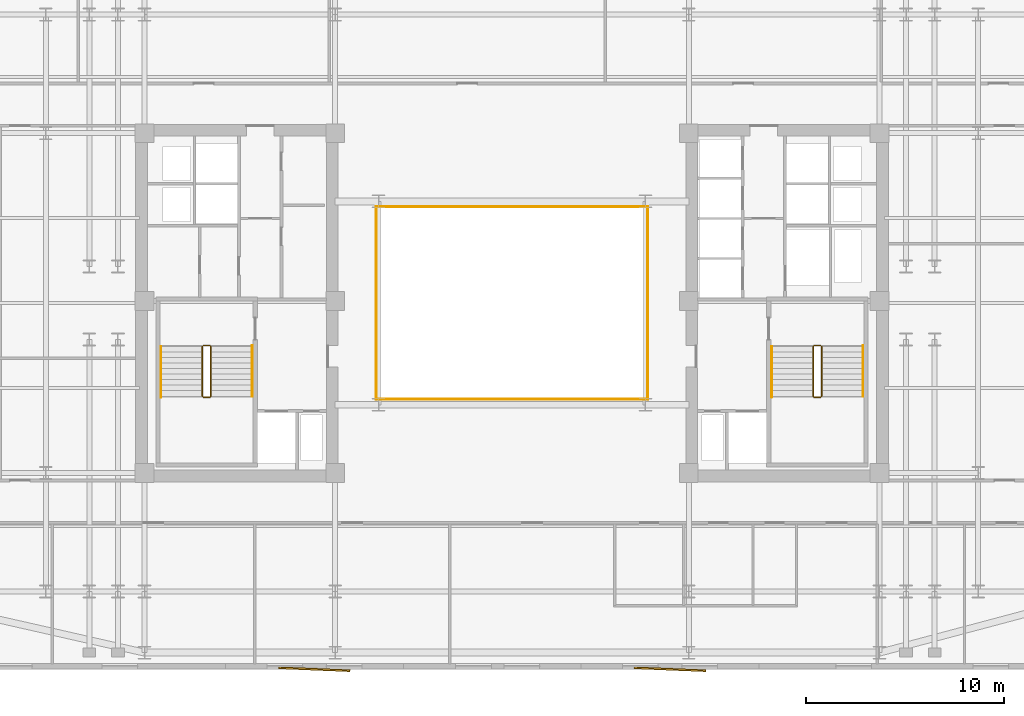
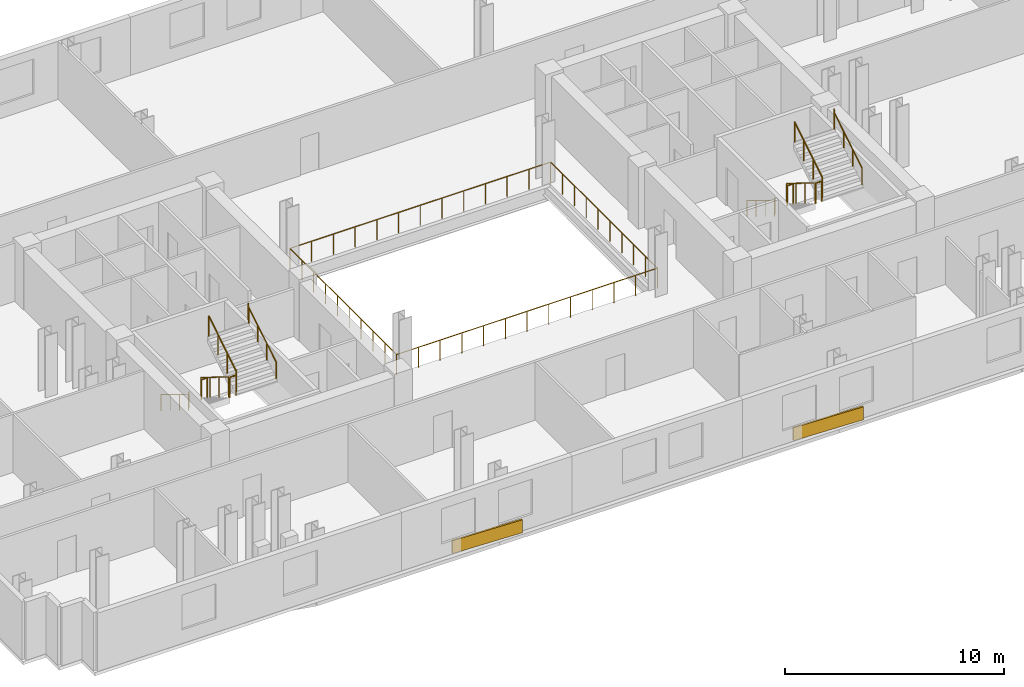
# One storey, part 8 of 9: 16 railings, 2 coverings.
"""IFC4 building model written with IfcOpenShell, lengths in metres."""

from ifc_helpers import new_model, si_unit, direction, frame, origin, origin_2d, place, context, subcontext, project, spatial, rectangle, circle, extrude, material, layer, layer_set, type_object, element, save


model = new_model("IFC4")

# Units and contexts
model_context = context("Model", 3, precision=1e-05, world=origin(), true_north=direction((0.0, 1.0)))
body_context = subcontext(model_context, "Body", "Model", "MODEL_VIEW")
ifc_project = project(units=[si_unit("LENGTHUNIT", "METRE"), si_unit("AREAUNIT", "SQUARE_METRE"), si_unit("VOLUMEUNIT", "CUBIC_METRE"), si_unit("PLANEANGLEUNIT", "RADIAN"), si_unit("MASSUNIT", "GRAM", prefix="KILO")], contexts=[model_context])

# Site, building, storey
site_placement = place(None, origin())
site = spatial("IfcSite", under=ifc_project, at=site_placement, CompositionType="ELEMENT")
building_placement = place(site_placement, origin())
building = spatial("IfcBuilding", under=site, at=building_placement, Name="Velakula Bourse", CompositionType="ELEMENT")
storey_placement = place(building_placement, frame((0.0, 0.0, 131.199951171875)))
storey = spatial("IfcBuildingStorey", under=building, at=storey_placement, Name="L35", CompositionType="ELEMENT", Elevation=131.199951171875)

# Coverings
ifc_material_1 = material(Name="Red kilned clay facing brick masonry", Category="masonry")
ifc_layer = layer(ifc_material_1, 0.090087890625, Name="Red kilned clay facing brick masonry", Category="masonry")
ifc_layer_set = layer_set([ifc_layer], Name="Red kilned clay facing brick masonry")
covering_type = type_object("IfcCoveringType", Name="COV-BRK-FOLD-90", PredefinedType="CLADDING", material=ifc_layer_set)
for number, where, z_axis, x_axis, name in (
    (1, (-10.0, -18.5400390625, 0.0), (0.0, 0.0, 1.0), (0.999158993058, -0.041003738744, 0.0), "L35 Folded Brick Facade Cladding Panel S-B2"),
    (2, (8.0, -18.5400390625, 0.0), (0.0, 0.0, 1.0), (0.999158993058, -0.041003738744, 0.0), "L35 Folded Brick Facade Cladding Panel S-B4"),
):
    element("IfcCovering", number, at=place(storey_placement, frame(where, z_axis=z_axis, x_axis=x_axis)), inside=storey, type_object=covering_type, Name=name, PredefinedType="CLADDING", context=body_context, shape_type="SweptSolid", body=[
        extrude(rectangle(XDim=3.60009765625, YDim=0.090087890625, at=origin_2d()), origin(), (0.0, 0.0, 1.0), 0.719970703125),
    ])

# Railings
ifc_material_2 = material(Name="Brushed grade 316 stainless steel", Category="steel")
railing_type_1 = type_object("IfcRailingType", Name="RLG-ATRIUM-1150", PredefinedType="BALUSTRADE", material=ifc_material_2)
railing_1_placement = place(storey_placement, frame((-6.8798828125, -4.8798828125, 0.0)))
element("IfcRailing", 3, at=railing_1_placement, inside=storey, type_object=railing_type_1, Name="L35 Central Trading Atrium Balustrade S", PredefinedType="BALUSTRADE", context=body_context, shape_type="SweptSolid", body=[
    extrude(circle(Radius=0.02392578125, at=origin_2d()), frame((0.0, 0.0, 1.1259765625), z_axis=(1.0, 0.0, 0.0), x_axis=(0.0, 1.0, 0.0)), (0.0, 0.0, 1.0), 13.759765625),
    extrude(circle(Radius=0.02099609375, at=origin_2d()), origin(), (0.0, 0.0, 1.0), 1.101806640625),
    extrude(circle(Radius=0.02099609375, at=origin_2d()), frame((1.146728515625, 0.0, 0.0)), (0.0, 0.0, 1.0), 1.101806640625),
    extrude(circle(Radius=0.02099609375, at=origin_2d()), frame((2.293212890625, 0.0, 0.0)), (0.0, 0.0, 1.0), 1.101806640625),
    extrude(circle(Radius=0.02099609375, at=origin_2d()), frame((3.43994140625, 0.0, 0.0)), (0.0, 0.0, 1.0), 1.101806640625),
    extrude(circle(Radius=0.02099609375, at=origin_2d()), frame((4.586669921875, 0.0, 0.0)), (0.0, 0.0, 1.0), 1.101806640625),
    extrude(circle(Radius=0.02099609375, at=origin_2d()), frame((5.733154296875, 0.0, 0.0)), (0.0, 0.0, 1.0), 1.101806640625),
    extrude(circle(Radius=0.02099609375, at=origin_2d()), frame((6.8798828125, 0.0, 0.0)), (0.0, 0.0, 1.0), 1.101806640625),
    extrude(circle(Radius=0.02099609375, at=origin_2d()), frame((8.026611328125, 0.0, 0.0)), (0.0, 0.0, 1.0), 1.101806640625),
    extrude(circle(Radius=0.02099609375, at=origin_2d()), frame((9.173095703125, 0.0, 0.0)), (0.0, 0.0, 1.0), 1.101806640625),
    extrude(circle(Radius=0.02099609375, at=origin_2d()), frame((10.31982421875, 0.0, 0.0)), (0.0, 0.0, 1.0), 1.101806640625),
    extrude(circle(Radius=0.02099609375, at=origin_2d()), frame((11.466552734375, 0.0, 0.0)), (0.0, 0.0, 1.0), 1.101806640625),
    extrude(circle(Radius=0.02099609375, at=origin_2d()), frame((12.613037109375, 0.0, 0.0)), (0.0, 0.0, 1.0), 1.101806640625),
    extrude(circle(Radius=0.02099609375, at=origin_2d()), frame((13.759765625, 0.0, 0.0)), (0.0, 0.0, 1.0), 1.101806640625),
])
railing_2_placement = place(storey_placement, frame((6.8798828125, -4.8798828125, 0.0)))
element("IfcRailing", 4, at=railing_2_placement, inside=storey, type_object=railing_type_1, Name="L35 Central Trading Atrium Balustrade E", PredefinedType="BALUSTRADE", context=body_context, shape_type="SweptSolid", body=[
    extrude(circle(Radius=0.02392578125, at=origin_2d()), frame((0.0, 0.0, 1.1259765625), z_axis=(0.0, 1.0, 0.0), x_axis=(-1.0, 0.0, 0.0)), (0.0, 0.0, 1.0), 9.759765625),
    extrude(circle(Radius=0.02099609375, at=origin_2d()), origin(), (0.0, 0.0, 1.0), 1.101806640625),
    extrude(circle(Radius=0.02099609375, at=origin_2d()), frame((0.0, 1.08447265625, 0.0)), (0.0, 0.0, 1.0), 1.101806640625),
    extrude(circle(Radius=0.02099609375, at=origin_2d()), frame((0.0, 2.1689453125, 0.0)), (0.0, 0.0, 1.0), 1.101806640625),
    extrude(circle(Radius=0.02099609375, at=origin_2d()), frame((0.0, 3.253173828125, 0.0)), (0.0, 0.0, 1.0), 1.101806640625),
    extrude(circle(Radius=0.02099609375, at=origin_2d()), frame((0.0, 4.337646484375, 0.0)), (0.0, 0.0, 1.0), 1.101806640625),
    extrude(circle(Radius=0.02099609375, at=origin_2d()), frame((0.0, 5.422119140625, 0.0)), (0.0, 0.0, 1.0), 1.101806640625),
    extrude(circle(Radius=0.02099609375, at=origin_2d()), frame((0.0, 6.506591796875, 0.0)), (0.0, 0.0, 1.0), 1.101806640625),
    extrude(circle(Radius=0.02099609375, at=origin_2d()), frame((0.0, 7.5908203125, 0.0)), (0.0, 0.0, 1.0), 1.101806640625),
    extrude(circle(Radius=0.02099609375, at=origin_2d()), frame((0.0, 8.67529296875, 0.0)), (0.0, 0.0, 1.0), 1.101806640625),
    extrude(circle(Radius=0.02099609375, at=origin_2d()), frame((0.0, 9.759765625, 0.0)), (0.0, 0.0, 1.0), 1.101806640625),
])
railing_3_placement = place(storey_placement, frame((6.8798828125, 4.8798828125, 0.0)))
element("IfcRailing", 5, at=railing_3_placement, inside=storey, type_object=railing_type_1, Name="L35 Central Trading Atrium Balustrade N", PredefinedType="BALUSTRADE", context=body_context, shape_type="SweptSolid", body=[
    extrude(circle(Radius=0.02392578125, at=origin_2d()), frame((0.0, 0.0, 1.1259765625), z_axis=(-1.0, 0.0, 0.0), x_axis=(0.0, -1.0, 0.0)), (0.0, 0.0, 1.0), 13.759765625),
    extrude(circle(Radius=0.02099609375, at=origin_2d()), origin(), (0.0, 0.0, 1.0), 1.101806640625),
    extrude(circle(Radius=0.02099609375, at=origin_2d()), frame((-1.146728515625, 0.0, 0.0)), (0.0, 0.0, 1.0), 1.101806640625),
    extrude(circle(Radius=0.02099609375, at=origin_2d()), frame((-2.293212890625, 0.0, 0.0)), (0.0, 0.0, 1.0), 1.101806640625),
    extrude(circle(Radius=0.02099609375, at=origin_2d()), frame((-3.43994140625, 0.0, 0.0)), (0.0, 0.0, 1.0), 1.101806640625),
    extrude(circle(Radius=0.02099609375, at=origin_2d()), frame((-4.586669921875, 0.0, 0.0)), (0.0, 0.0, 1.0), 1.101806640625),
    extrude(circle(Radius=0.02099609375, at=origin_2d()), frame((-5.733154296875, 0.0, 0.0)), (0.0, 0.0, 1.0), 1.101806640625),
    extrude(circle(Radius=0.02099609375, at=origin_2d()), frame((-6.8798828125, 0.0, 0.0)), (0.0, 0.0, 1.0), 1.101806640625),
    extrude(circle(Radius=0.02099609375, at=origin_2d()), frame((-8.026611328125, 0.0, 0.0)), (0.0, 0.0, 1.0), 1.101806640625),
    extrude(circle(Radius=0.02099609375, at=origin_2d()), frame((-9.173095703125, 0.0, 0.0)), (0.0, 0.0, 1.0), 1.101806640625),
    extrude(circle(Radius=0.02099609375, at=origin_2d()), frame((-10.31982421875, 0.0, 0.0)), (0.0, 0.0, 1.0), 1.101806640625),
    extrude(circle(Radius=0.02099609375, at=origin_2d()), frame((-11.466552734375, 0.0, 0.0)), (0.0, 0.0, 1.0), 1.101806640625),
    extrude(circle(Radius=0.02099609375, at=origin_2d()), frame((-12.613037109375, 0.0, 0.0)), (0.0, 0.0, 1.0), 1.101806640625),
    extrude(circle(Radius=0.02099609375, at=origin_2d()), frame((-13.759765625, 0.0, 0.0)), (0.0, 0.0, 1.0), 1.101806640625),
])
railing_4_placement = place(storey_placement, frame((-6.8798828125, 4.8798828125, 0.0)))
element("IfcRailing", 6, at=railing_4_placement, inside=storey, type_object=railing_type_1, Name="L35 Central Trading Atrium Balustrade W", PredefinedType="BALUSTRADE", context=body_context, shape_type="SweptSolid", body=[
    extrude(circle(Radius=0.02392578125, at=origin_2d()), frame((0.0, 0.0, 1.1259765625), z_axis=(0.0, -1.0, 0.0), x_axis=(1.0, 0.0, 0.0)), (0.0, 0.0, 1.0), 9.759765625),
    extrude(circle(Radius=0.02099609375, at=origin_2d()), origin(), (0.0, 0.0, 1.0), 1.101806640625),
    extrude(circle(Radius=0.02099609375, at=origin_2d()), frame((0.0, -1.08447265625, 0.0)), (0.0, 0.0, 1.0), 1.101806640625),
    extrude(circle(Radius=0.02099609375, at=origin_2d()), frame((0.0, -2.1689453125, 0.0)), (0.0, 0.0, 1.0), 1.101806640625),
    extrude(circle(Radius=0.02099609375, at=origin_2d()), frame((0.0, -3.253173828125, 0.0)), (0.0, 0.0, 1.0), 1.101806640625),
    extrude(circle(Radius=0.02099609375, at=origin_2d()), frame((0.0, -4.337646484375, 0.0)), (0.0, 0.0, 1.0), 1.101806640625),
    extrude(circle(Radius=0.02099609375, at=origin_2d()), frame((0.0, -5.422119140625, 0.0)), (0.0, 0.0, 1.0), 1.101806640625),
    extrude(circle(Radius=0.02099609375, at=origin_2d()), frame((0.0, -6.506591796875, 0.0)), (0.0, 0.0, 1.0), 1.101806640625),
    extrude(circle(Radius=0.02099609375, at=origin_2d()), frame((0.0, -7.5908203125, 0.0)), (0.0, 0.0, 1.0), 1.101806640625),
    extrude(circle(Radius=0.02099609375, at=origin_2d()), frame((0.0, -8.67529296875, 0.0)), (0.0, 0.0, 1.0), 1.101806640625),
    extrude(circle(Radius=0.02099609375, at=origin_2d()), frame((0.0, -9.759765625, 0.0)), (0.0, 0.0, 1.0), 1.101806640625),
])
railing_type_2 = type_object("IfcRailingType", Name="RLG-STAIR-GUARD-1150", PredefinedType="BALUSTRADE", material=ifc_material_2)
railing_5_placement = place(storey_placement, frame((-15.672119140625, -2.199951171875, 0.172607421875)))
element("IfcRailing", 7, at=railing_5_placement, inside=storey, type_object=railing_type_2, Name="L35 ST-W1 stair guard 1", PredefinedType="BALUSTRADE", context=body_context, shape_type="SweptSolid", body=[
    extrude(circle(Radius=0.02490234375, at=origin_2d()), frame((0.0, 0.0, 1.125), z_axis=(0.0, -0.851400495292, 0.524516154772), x_axis=(1.0, 0.0, 0.0)), (0.0, 0.0, 1.0), 2.9599609375),
    extrude(circle(Radius=0.02099609375, at=origin_2d()), origin(), (0.0, 0.0, 1.0), 1.099853515625),
    extrude(circle(Radius=0.02099609375, at=origin_2d()), frame((0.0, -0.840087890625, 0.517578125)), (0.0, 0.0, 1.0), 1.099853515625),
    extrude(circle(Radius=0.02099609375, at=origin_2d()), frame((0.0, -1.679931640625, 1.034912109375)), (0.0, 0.0, 1.0), 1.099853515625),
    extrude(circle(Radius=0.02099609375, at=origin_2d()), frame((0.0, -2.52001953125, 1.552490234375)), (0.0, 0.0, 1.0), 1.099853515625),
])
railing_6_placement = place(storey_placement, frame((-15.6220703125, -4.77001953125, 1.72509765625)))
element("IfcRailing", 8, at=railing_6_placement, inside=storey, type_object=railing_type_2, Name="L35 ST-W1 stair guard 2", PredefinedType="BALUSTRADE", context=body_context, shape_type="SweptSolid", body=[
    extrude(circle(Radius=0.02490234375, at=origin_2d()), frame((0.0, 0.0, 1.125), z_axis=(1.0, 0.0, 0.0), x_axis=(0.0, 1.0, 0.0)), (0.0, 0.0, 1.0), 0.323974609375),
    extrude(circle(Radius=0.02099609375, at=origin_2d()), origin(), (0.0, 0.0, 1.0), 1.099853515625),
    extrude(circle(Radius=0.02099609375, at=origin_2d()), frame((0.323974609375, 0.0, 0.0)), (0.0, 0.0, 1.0), 1.099853515625),
])
railing_7_placement = place(storey_placement, frame((-15.248046875, -4.719970703125, 1.8974609375)))
element("IfcRailing", 9, at=railing_7_placement, inside=storey, type_object=railing_type_2, Name="L35 ST-W1 stair guard 3", PredefinedType="BALUSTRADE", context=body_context, shape_type="SweptSolid", body=[
    extrude(circle(Radius=0.02490234375, at=origin_2d()), frame((0.0, 0.0, 1.125), z_axis=(0.0, 0.851400495292, 0.524516154772), x_axis=(-1.0, 0.0, 0.0)), (0.0, 0.0, 1.0), 2.9599609375),
    extrude(circle(Radius=0.02099609375, at=origin_2d()), origin(), (0.0, 0.0, 1.0), 1.099853515625),
    extrude(circle(Radius=0.02099609375, at=origin_2d()), frame((0.0, 0.840087890625, 0.517578125)), (0.0, 0.0, 1.0), 1.099853515625),
    extrude(circle(Radius=0.02099609375, at=origin_2d()), frame((0.0, 1.679931640625, 1.034912109375)), (0.0, 0.0, 1.0), 1.099853515625),
    extrude(circle(Radius=0.02099609375, at=origin_2d()), frame((0.0, 2.52001953125, 1.552490234375)), (0.0, 0.0, 1.0), 1.099853515625),
])
railing_8_placement = place(storey_placement, frame((-15.6220703125, -2.14990234375, 0.0)))
element("IfcRailing", 10, at=railing_8_placement, inside=storey, type_object=railing_type_2, Name="L35 ST-W1 stair guard 4", PredefinedType="BALUSTRADE", context=body_context, shape_type="SweptSolid", body=[
    extrude(circle(Radius=0.02490234375, at=origin_2d()), frame((0.0, 0.0, 1.125), z_axis=(1.0, 0.0, 0.0), x_axis=(0.0, 1.0, 0.0)), (0.0, 0.0, 1.0), 0.323974609375),
    extrude(circle(Radius=0.02099609375, at=origin_2d()), origin(), (0.0, 0.0, 1.0), 1.099853515625),
    extrude(circle(Radius=0.02099609375, at=origin_2d()), frame((0.323974609375, 0.0, 0.0)), (0.0, 0.0, 1.0), 1.099853515625),
])
railing_9_placement = place(storey_placement, frame((15.248046875, -2.199951171875, 0.172607421875)))
element("IfcRailing", 11, at=railing_9_placement, inside=storey, type_object=railing_type_2, Name="L35 ST-E1 stair guard 1", PredefinedType="BALUSTRADE", context=body_context, shape_type="SweptSolid", body=[
    extrude(circle(Radius=0.02490234375, at=origin_2d()), frame((0.0, 0.0, 1.125), z_axis=(0.0, -0.851400495292, 0.524516154772), x_axis=(1.0, 0.0, 0.0)), (0.0, 0.0, 1.0), 2.9599609375),
    extrude(circle(Radius=0.02099609375, at=origin_2d()), origin(), (0.0, 0.0, 1.0), 1.099853515625),
    extrude(circle(Radius=0.02099609375, at=origin_2d()), frame((0.0, -0.840087890625, 0.517578125)), (0.0, 0.0, 1.0), 1.099853515625),
    extrude(circle(Radius=0.02099609375, at=origin_2d()), frame((0.0, -1.679931640625, 1.034912109375)), (0.0, 0.0, 1.0), 1.099853515625),
    extrude(circle(Radius=0.02099609375, at=origin_2d()), frame((0.0, -2.52001953125, 1.552490234375)), (0.0, 0.0, 1.0), 1.099853515625),
])
railing_10_placement = place(storey_placement, frame((15.298095703125, -4.77001953125, 1.72509765625)))
element("IfcRailing", 12, at=railing_10_placement, inside=storey, type_object=railing_type_2, Name="L35 ST-E1 stair guard 2", PredefinedType="BALUSTRADE", context=body_context, shape_type="SweptSolid", body=[
    extrude(circle(Radius=0.02490234375, at=origin_2d()), frame((0.0, 0.0, 1.125), z_axis=(1.0, 0.0, 0.0), x_axis=(0.0, 1.0, 0.0)), (0.0, 0.0, 1.0), 0.323974609375),
    extrude(circle(Radius=0.02099609375, at=origin_2d()), origin(), (0.0, 0.0, 1.0), 1.099853515625),
    extrude(circle(Radius=0.02099609375, at=origin_2d()), frame((0.323974609375, 0.0, 0.0)), (0.0, 0.0, 1.0), 1.099853515625),
])
railing_11_placement = place(storey_placement, frame((15.672119140625, -4.719970703125, 1.8974609375)))
element("IfcRailing", 13, at=railing_11_placement, inside=storey, type_object=railing_type_2, Name="L35 ST-E1 stair guard 3", PredefinedType="BALUSTRADE", context=body_context, shape_type="SweptSolid", body=[
    extrude(circle(Radius=0.02490234375, at=origin_2d()), frame((0.0, 0.0, 1.125), z_axis=(0.0, 0.851400495292, 0.524516154772), x_axis=(-1.0, 0.0, 0.0)), (0.0, 0.0, 1.0), 2.9599609375),
    extrude(circle(Radius=0.02099609375, at=origin_2d()), origin(), (0.0, 0.0, 1.0), 1.099853515625),
    extrude(circle(Radius=0.02099609375, at=origin_2d()), frame((0.0, 0.840087890625, 0.517578125)), (0.0, 0.0, 1.0), 1.099853515625),
    extrude(circle(Radius=0.02099609375, at=origin_2d()), frame((0.0, 1.679931640625, 1.034912109375)), (0.0, 0.0, 1.0), 1.099853515625),
    extrude(circle(Radius=0.02099609375, at=origin_2d()), frame((0.0, 2.52001953125, 1.552490234375)), (0.0, 0.0, 1.0), 1.099853515625),
])
railing_12_placement = place(storey_placement, frame((15.298095703125, -2.14990234375, 0.0)))
element("IfcRailing", 14, at=railing_12_placement, inside=storey, type_object=railing_type_2, Name="L35 ST-E1 stair guard 4", PredefinedType="BALUSTRADE", context=body_context, shape_type="SweptSolid", body=[
    extrude(circle(Radius=0.02490234375, at=origin_2d()), frame((0.0, 0.0, 1.125), z_axis=(1.0, 0.0, 0.0), x_axis=(0.0, 1.0, 0.0)), (0.0, 0.0, 1.0), 0.323974609375),
    extrude(circle(Radius=0.02099609375, at=origin_2d()), origin(), (0.0, 0.0, 1.0), 1.099853515625),
    extrude(circle(Radius=0.02099609375, at=origin_2d()), frame((0.323974609375, 0.0, 0.0)), (0.0, 0.0, 1.0), 1.099853515625),
])
railing_type_3 = type_object("IfcRailingType", Name="RLG-STAIR-HAND-920", PredefinedType="HANDRAIL", material=ifc_material_2)
railing_13_placement = place(storey_placement, frame((-17.77001953125, -2.199951171875, 0.172607421875)))
element("IfcRailing", 15, at=railing_13_placement, inside=storey, type_object=railing_type_3, Name="L35 ST-W1 stair handrail 1", PredefinedType="HANDRAIL", context=body_context, shape_type="SweptSolid", body=[
    extrude(circle(Radius=0.02099609375, at=origin_2d()), frame((0.0, 0.0, 0.89892578125), z_axis=(0.0, -0.851400495292, 0.524516154772), x_axis=(1.0, 0.0, 0.0)), (0.0, 0.0, 1.0), 2.9599609375),
    extrude(circle(Radius=0.02099609375, at=origin_2d()), frame((0.0, -2.52001953125, 2.451416015625), z_axis=(0.0, -0.226269970362, 0.974064628509), x_axis=(1.0, 0.0, 0.0)), (0.0, 0.0, 1.0), 0.177001953125),
    extrude(circle(Radius=0.02099609375, at=origin_2d()), frame((0.0, -2.56005859375, 2.623779296875), z_axis=(0.0, -1.0, 0.0), x_axis=(1.0, 0.0, 0.0)), (0.0, 0.0, 1.0), 0.0048828125),
    extrude(circle(Radius=0.02099609375, at=origin_2d()), origin(), (0.0, 0.0, 1.0), 0.8779296875),
    extrude(circle(Radius=0.02099609375, at=origin_2d()), frame((0.0, -0.840087890625, 0.517578125)), (0.0, 0.0, 1.0), 0.8779296875),
    extrude(circle(Radius=0.02099609375, at=origin_2d()), frame((0.0, -1.679931640625, 1.034912109375)), (0.0, 0.0, 1.0), 0.8779296875),
    extrude(circle(Radius=0.02099609375, at=origin_2d()), frame((0.0, -2.52001953125, 1.552490234375)), (0.0, 0.0, 1.0), 0.8779296875),
    extrude(circle(Radius=0.02099609375, at=origin_2d()), frame((0.0, -2.56005859375, 1.724853515625)), (0.0, 0.0, 1.0), 0.8779296875),
    extrude(circle(Radius=0.02099609375, at=origin_2d()), frame((0.0, -2.56494140625, 1.724853515625)), (0.0, 0.0, 1.0), 0.8779296875),
])
railing_14_placement = place(storey_placement, frame((-13.14990234375, -4.719970703125, 1.8974609375)))
element("IfcRailing", 16, at=railing_14_placement, inside=storey, type_object=railing_type_3, Name="L35 ST-W1 stair handrail 2", PredefinedType="HANDRAIL", context=body_context, shape_type="SweptSolid", body=[
    extrude(circle(Radius=0.02099609375, at=origin_2d()), frame((0.0, 0.0, 0.89892578125), z_axis=(0.0, 0.851400495292, 0.524516154772), x_axis=(-1.0, 0.0, 0.0)), (0.0, 0.0, 1.0), 2.9599609375),
    extrude(circle(Radius=0.02099609375, at=origin_2d()), frame((0.0, 2.52001953125, 2.451416015625), z_axis=(0.0, 0.22596628056, 0.974135124123), x_axis=(-1.0, 0.0, 0.0)), (0.0, 0.0, 1.0), 0.17724609375),
    extrude(circle(Radius=0.02099609375, at=origin_2d()), frame((0.0, 2.56005859375, 2.6240234375), z_axis=(0.0, 1.0, 0.0), x_axis=(-1.0, 0.0, 0.0)), (0.0, 0.0, 1.0), 0.0048828125),
    extrude(circle(Radius=0.02099609375, at=origin_2d()), origin(), (0.0, 0.0, 1.0), 0.8779296875),
    extrude(circle(Radius=0.02099609375, at=origin_2d()), frame((0.0, 0.840087890625, 0.517578125)), (0.0, 0.0, 1.0), 0.8779296875),
    extrude(circle(Radius=0.02099609375, at=origin_2d()), frame((0.0, 1.679931640625, 1.034912109375)), (0.0, 0.0, 1.0), 0.8779296875),
    extrude(circle(Radius=0.02099609375, at=origin_2d()), frame((0.0, 2.52001953125, 1.552490234375)), (0.0, 0.0, 1.0), 0.8779296875),
    extrude(circle(Radius=0.02099609375, at=origin_2d()), frame((0.0, 2.56005859375, 1.72509765625)), (0.0, 0.0, 1.0), 0.8779296875),
    extrude(circle(Radius=0.02099609375, at=origin_2d()), frame((0.0, 2.56494140625, 1.72509765625)), (0.0, 0.0, 1.0), 0.8779296875),
])
railing_15_placement = place(storey_placement, frame((13.14990234375, -2.199951171875, 0.172607421875)))
element("IfcRailing", 17, at=railing_15_placement, inside=storey, type_object=railing_type_3, Name="L35 ST-E1 stair handrail 1", PredefinedType="HANDRAIL", context=body_context, shape_type="SweptSolid", body=[
    extrude(circle(Radius=0.02099609375, at=origin_2d()), frame((0.0, 0.0, 0.89892578125), z_axis=(0.0, -0.851400495292, 0.524516154772), x_axis=(1.0, 0.0, 0.0)), (0.0, 0.0, 1.0), 2.9599609375),
    extrude(circle(Radius=0.02099609375, at=origin_2d()), frame((0.0, -2.52001953125, 2.451416015625), z_axis=(0.0, -0.226269970362, 0.974064628509), x_axis=(1.0, 0.0, 0.0)), (0.0, 0.0, 1.0), 0.177001953125),
    extrude(circle(Radius=0.02099609375, at=origin_2d()), frame((0.0, -2.56005859375, 2.623779296875), z_axis=(0.0, -1.0, 0.0), x_axis=(1.0, 0.0, 0.0)), (0.0, 0.0, 1.0), 0.0048828125),
    extrude(circle(Radius=0.02099609375, at=origin_2d()), origin(), (0.0, 0.0, 1.0), 0.8779296875),
    extrude(circle(Radius=0.02099609375, at=origin_2d()), frame((0.0, -0.840087890625, 0.517578125)), (0.0, 0.0, 1.0), 0.8779296875),
    extrude(circle(Radius=0.02099609375, at=origin_2d()), frame((0.0, -1.679931640625, 1.034912109375)), (0.0, 0.0, 1.0), 0.8779296875),
    extrude(circle(Radius=0.02099609375, at=origin_2d()), frame((0.0, -2.52001953125, 1.552490234375)), (0.0, 0.0, 1.0), 0.8779296875),
    extrude(circle(Radius=0.02099609375, at=origin_2d()), frame((0.0, -2.56005859375, 1.724853515625)), (0.0, 0.0, 1.0), 0.8779296875),
    extrude(circle(Radius=0.02099609375, at=origin_2d()), frame((0.0, -2.56494140625, 1.724853515625)), (0.0, 0.0, 1.0), 0.8779296875),
])
railing_16_placement = place(storey_placement, frame((17.77001953125, -4.719970703125, 1.8974609375)))
element("IfcRailing", 18, at=railing_16_placement, inside=storey, type_object=railing_type_3, Name="L35 ST-E1 stair handrail 2", PredefinedType="HANDRAIL", context=body_context, shape_type="SweptSolid", body=[
    extrude(circle(Radius=0.02099609375, at=origin_2d()), frame((0.0, 0.0, 0.89892578125), z_axis=(0.0, 0.851400495292, 0.524516154772), x_axis=(-1.0, 0.0, 0.0)), (0.0, 0.0, 1.0), 2.9599609375),
    extrude(circle(Radius=0.02099609375, at=origin_2d()), frame((0.0, 2.52001953125, 2.451416015625), z_axis=(0.0, 0.22596628056, 0.974135124123), x_axis=(-1.0, 0.0, 0.0)), (0.0, 0.0, 1.0), 0.17724609375),
    extrude(circle(Radius=0.02099609375, at=origin_2d()), frame((0.0, 2.56005859375, 2.6240234375), z_axis=(0.0, 1.0, 0.0), x_axis=(-1.0, 0.0, 0.0)), (0.0, 0.0, 1.0), 0.0048828125),
    extrude(circle(Radius=0.02099609375, at=origin_2d()), origin(), (0.0, 0.0, 1.0), 0.8779296875),
    extrude(circle(Radius=0.02099609375, at=origin_2d()), frame((0.0, 0.840087890625, 0.517578125)), (0.0, 0.0, 1.0), 0.8779296875),
    extrude(circle(Radius=0.02099609375, at=origin_2d()), frame((0.0, 1.679931640625, 1.034912109375)), (0.0, 0.0, 1.0), 0.8779296875),
    extrude(circle(Radius=0.02099609375, at=origin_2d()), frame((0.0, 2.52001953125, 1.552490234375)), (0.0, 0.0, 1.0), 0.8779296875),
    extrude(circle(Radius=0.02099609375, at=origin_2d()), frame((0.0, 2.56005859375, 1.72509765625)), (0.0, 0.0, 1.0), 0.8779296875),
    extrude(circle(Radius=0.02099609375, at=origin_2d()), frame((0.0, 2.56494140625, 1.72509765625)), (0.0, 0.0, 1.0), 0.8779296875),
])

save(model, "model.ifc")
